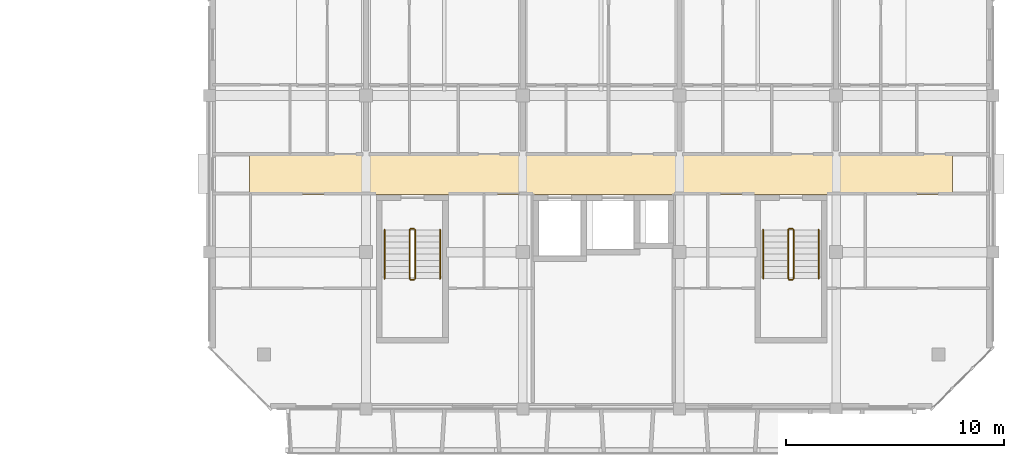
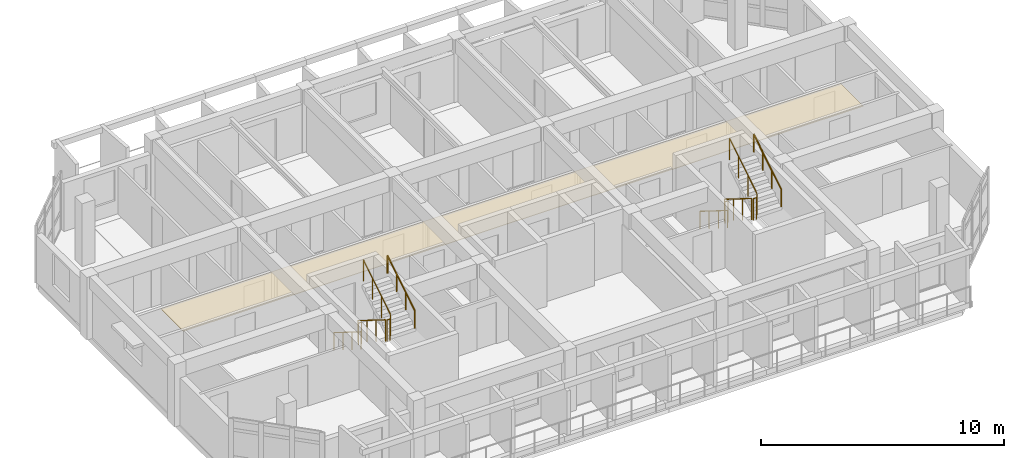
# One storey, part 50 of 51: 12 railings, 1 covering.
"""IFC4 building model written with IfcOpenShell, lengths in metres."""

import ifcopenshell
import ifcopenshell.guid

model = None  # the IFC model being written
_history = None  # IfcOwnerHistory: only IFC2X3 demands one
_inside = {}  # id of a spatial element -> (the spatial element, [elements in it])
_under = {}  # id of a project, library or spatial element -> (it, [spatial elements below it])
_declared = {}  # id of a project -> (the project, [libraries it declares])
_typed = {}  # id of a type object -> (the type object, [elements of that type])
_made_of = {}  # id of a material, layer set ... -> (it, [elements and type objects made of it])


def new_model(schema):
    """Start an empty IFC model of exactly this schema.

    Asked for "IFC4X3", IfcOpenShell would pick the latest addendum, in which some entities
    have other attributes; the version numbers below select the first issue.
    IFC2X3 requires an IfcOwnerHistory on every rooted entity: one is made here for all.
    """
    global model, _history
    if schema == "IFC4X3":
        model = ifcopenshell.file(schema_version=(4, 3, 0, 0))
    else:
        model = ifcopenshell.file(schema=schema)
    _inside.clear()
    _under.clear()
    _declared.clear()
    _typed.clear()
    _made_of.clear()
    _history = None
    if model.schema == "IFC2X3":
        org = make("IfcOrganization", Name="unknown")
        user = make(
            "IfcPersonAndOrganization",
            ThePerson=make("IfcPerson", FamilyName="unknown"),
            TheOrganization=org,
        )
        app = make(
            "IfcApplication",
            ApplicationDeveloper=org,
            Version="unknown",
            ApplicationFullName="unknown",
            ApplicationIdentifier="unknown",
        )
        _history = make(
            "IfcOwnerHistory",
            OwningUser=user,
            OwningApplication=app,
            ChangeAction="ADDED",
            CreationDate=0,
        )
    return model


def make(cls, **values):
    """One entity of the class cls with the attributes given. An attribute that is None is left unset."""
    return model.create_entity(
        cls, **{name: value for name, value in values.items() if value is not None}
    )


def rooted(cls, **values):
    """An entity with a GlobalId (a new one), such as an element, a storey or a relation."""
    return make(cls, GlobalId=ifcopenshell.guid.new(), OwnerHistory=_history, **values)


def si_unit(unit_type, name, prefix=None):
    """IfcSIUnit, for example si_unit("LENGTHUNIT", "METRE", prefix="MILLI")."""
    return make("IfcSIUnit", UnitType=unit_type, Prefix=prefix, Name=name)


def assignment(units):
    """IfcUnitAssignment: the units of a project."""
    return None if units is None else make("IfcUnitAssignment", Units=units)


def point(xyz):
    """IfcCartesianPoint."""
    return None if xyz is None else make("IfcCartesianPoint", Coordinates=xyz)


def direction(xyz):
    """IfcDirection."""
    return None if xyz is None else make("IfcDirection", DirectionRatios=xyz)


def frame(location, z_axis=None, x_axis=None):
    """IfcAxis2Placement3D, a coordinate frame: its origin and axes. An axis left out is left unset."""
    return make(
        "IfcAxis2Placement3D",
        Location=point(location),
        Axis=direction(z_axis),
        RefDirection=direction(x_axis),
    )


def frame_2d(location, x_axis=None):
    """IfcAxis2Placement2D, a coordinate frame in the plane: its origin and x axis."""
    return make(
        "IfcAxis2Placement2D", Location=point(location), RefDirection=direction(x_axis)
    )


def origin():
    """The frame at (0, 0, 0) with its axes left unset."""
    return frame((0.0, 0.0, 0.0))


def origin_2d():
    """The frame at (0, 0) in the plane with its x axis left unset."""
    return frame_2d((0.0, 0.0))


def place(relative_to, where):
    """IfcLocalPlacement: puts the frame where relative to a parent placement (None: the world)."""
    return make(
        "IfcLocalPlacement", PlacementRelTo=relative_to, RelativePlacement=where
    )


def context(
    kind, dimensions, precision=None, world=None, true_north=None, identifier=None
):
    """IfcGeometricRepresentationContext, for example the 3D "Model" context."""
    return make(
        "IfcGeometricRepresentationContext",
        ContextIdentifier=identifier,
        ContextType=kind,
        CoordinateSpaceDimension=dimensions,
        Precision=precision,
        WorldCoordinateSystem=world,
        TrueNorth=true_north,
    )


def subcontext(parent, identifier, kind, view, scale=None):
    """IfcGeometricRepresentationSubContext, for example "Body" below "Model"."""
    return make(
        "IfcGeometricRepresentationSubContext",
        ContextIdentifier=identifier,
        ContextType=kind,
        ParentContext=parent,
        TargetScale=scale,
        TargetView=view,
    )


def project(units=None, contexts=None):
    """IfcProject with its units and contexts."""
    return rooted(
        "IfcProject",
        Name="project",
        RepresentationContexts=contexts,
        UnitsInContext=assignment(units),
    )


def spatial(cls, under=None, at=None, **own):
    """A site, building, storey or space (cls), placed at a placement, below another one or the project."""
    s = rooted(cls, ObjectPlacement=at, **own)
    if under is not None:
        _under.setdefault(under.id(), (under, []))[1].append(s)
    return s


def polyline(points):
    """IfcPolyline through the points."""
    return make("IfcPolyline", Points=[point(p) for p in points])


def profile(cls, at=None, kind="AREA", **sizes):
    """A parametric profile (cls). Its sizes go by their IFC names, for example OverallWidth=200.0."""
    return make(cls, ProfileType=kind, Position=at, **sizes)


def circle(**sizes):
    """IfcCircleProfileDef."""
    return profile("IfcCircleProfileDef", **sizes)


def outline(outer, holes=None, kind="AREA"):
    """IfcArbitraryClosedProfileDef: a profile drawn as a closed curve; with holes, ...WithVoids."""
    if holes is None:
        return make("IfcArbitraryClosedProfileDef", ProfileType=kind, OuterCurve=outer)
    return make(
        "IfcArbitraryProfileDefWithVoids",
        ProfileType=kind,
        OuterCurve=outer,
        InnerCurves=holes,
    )


def extrude(swept, where, along, depth):
    """IfcExtrudedAreaSolid: the profile swept, set in the frame where, extruded along a direction by depth."""
    return make(
        "IfcExtrudedAreaSolid",
        SweptArea=swept,
        Position=where,
        ExtrudedDirection=direction(along),
        Depth=depth,
    )


def shape(context_of_items, identifier, shape_type, items):
    """IfcShapeRepresentation: the items that make up one representation, for example the "Body"."""
    return make(
        "IfcShapeRepresentation",
        ContextOfItems=context_of_items,
        RepresentationIdentifier=identifier,
        RepresentationType=shape_type,
        Items=items,
    )


def material(Name=None, Category=None):
    """IfcMaterial."""
    return make("IfcMaterial", Name=Name, Category=Category)


def layer(
    of_material, thickness, ventilated=None, Name=None, Category=None, Priority=None
):
    """IfcMaterialLayer: one layer of a wall or slab, of a material (None: an air gap)."""
    return make(
        "IfcMaterialLayer",
        Material=of_material,
        LayerThickness=thickness,
        IsVentilated=ventilated,
        Name=Name,
        Category=Category,
        Priority=Priority,
    )


def layer_set(layers, Name=None):
    """IfcMaterialLayerSet."""
    return make("IfcMaterialLayerSet", MaterialLayers=layers, LayerSetName=Name)


def made_of(thing, what):
    """Note that an element or type object is made of a material, layer set ...; save() writes the relation."""
    if what is not None:
        _made_of.setdefault(what.id(), (what, []))[1].append(thing)
    return thing


def type_object(cls, material=None, **own):
    """A type object (cls), such as IfcWallType, which elements share."""
    return made_of(rooted(cls, **own), material)


def element(
    cls,
    number,
    at=None,
    inside=None,
    cuts=None,
    type_object=None,
    material=None,
    context=None,
    identifier="Body",
    shape_type=None,
    held_by="IfcProductDefinitionShape",
    body=None,
    shapes=None,
    **own,
):
    """One element of the class cls, such as IfcWall. Its Tag is "e" and its number.

    at: its placement. inside: the storey or other place that contains it. cuts: it is an
    opening in that element (IfcRelVoidsElement). A single representation is given by context,
    identifier, shape_type and body (its items); several are given by shapes. held_by: the class
    of the entity that holds the representations. save() writes the other relations.
    """
    e = rooted(cls, Tag="e%d" % number, ObjectPlacement=at, **own)
    if body is not None:
        shapes = [shape(context, identifier, shape_type, body)]
    if shapes is not None:
        e.Representation = make(held_by, Representations=shapes)
    if inside is not None:
        _inside.setdefault(inside.id(), (inside, []))[1].append(e)
    if cuts is not None:
        rooted(
            "IfcRelVoidsElement", RelatingBuildingElement=cuts, RelatedOpeningElement=e
        )
    if type_object is not None:
        _typed.setdefault(type_object.id(), (type_object, []))[1].append(e)
    return made_of(e, material)


def aggregate(whole, parts):
    """IfcRelAggregates: a whole, such as a stair, and the parts it consists of."""
    return rooted("IfcRelAggregates", RelatingObject=whole, RelatedObjects=parts)


def save(model, path):
    """Write the relations noted so far, then the file.

    IfcRelAggregates (storeys below a building ...), IfcRelContainedInSpatialStructure (elements
    in a storey), IfcRelDefinesByType, IfcRelAssociatesMaterial and IfcRelDeclares: one each for
    every whole, place, type object, material and project.
    """
    for whole, parts in _under.values():
        aggregate(whole, parts)
    for where, things in _inside.values():
        rooted(
            "IfcRelContainedInSpatialStructure",
            RelatedElements=things,
            RelatingStructure=where,
        )
    for kind, things in _typed.values():
        rooted("IfcRelDefinesByType", RelatedObjects=things, RelatingType=kind)
    for what, things in _made_of.values():
        rooted("IfcRelAssociatesMaterial", RelatedObjects=things, RelatingMaterial=what)
    for by, libraries in _declared.values():
        rooted("IfcRelDeclares", RelatingContext=by, RelatedDefinitions=libraries)
    model.write(path)


model = new_model("IFC4")

# Units and contexts
model_context = context("Model", 3, precision=1e-05, world=origin(), true_north=direction((0.0, 1.0)))
body_context = subcontext(model_context, "Body", "Model", "MODEL_VIEW")
ifc_project = project(units=[si_unit("LENGTHUNIT", "METRE"), si_unit("AREAUNIT", "SQUARE_METRE"), si_unit("VOLUMEUNIT", "CUBIC_METRE"), si_unit("PLANEANGLEUNIT", "RADIAN"), si_unit("MASSUNIT", "GRAM", prefix="KILO")], contexts=[model_context])

# Site, building, storey
site_placement = place(None, origin())
site = spatial("IfcSite", under=ifc_project, at=site_placement, CompositionType="ELEMENT")
building_placement = place(site_placement, origin())
building = spatial("IfcBuilding", under=site, at=building_placement, Name="Ochrevale Crest", CompositionType="ELEMENT")
storey_placement = place(building_placement, frame((0.0, 0.0, 11.85009765625)))
storey = spatial("IfcBuildingStorey", under=building, at=storey_placement, Name="L03", CompositionType="ELEMENT", Elevation=11.85009765625)

# Covering
ifc_material_1 = material(Name="Gypsum plasterboard", Category="gypsum")
ifc_layer = layer(ifc_material_1, 0.02490234375)
ifc_layer_set = layer_set([ifc_layer], Name="Gypsum plasterboard")
covering_type = type_object("IfcCoveringType", Name="COV-CEIL-GYP", PredefinedType="CEILING", material=ifc_layer_set)
covering_placement = place(storey_placement, frame((0.0, 0.0, 2.27978515625)))
element("IfcCovering", 1, at=covering_placement, inside=storey, type_object=covering_type, Name="Block D L03 acoustic corridor ceiling", PredefinedType="CEILING", context=body_context, shape_type="SweptSolid", body=[
    extrude(outline(polyline([(131.449951171875, 81.860107421875), (163.75, 81.860107421875), (163.75, 83.739990234375), (131.449951171875, 83.739990234375), (131.449951171875, 81.860107421875)])), origin(), (0.0, 0.0, 1.0), 0.025146484375),
])

# Railings
ifc_material_2 = material(Name="Galvanised steel", Category="steel")
railing_type_1 = type_object("IfcRailingType", Name="RL-ST-GUARD", PredefinedType="BALUSTRADE", material=ifc_material_2)
railing_1_placement = place(storey_placement, frame((138.800048828125, 80.22509765625, 0.1748046875)))
element("IfcRailing", 2, at=railing_1_placement, inside=storey, type_object=railing_type_1, Name="L03 ST-D1 stair guard 1", PredefinedType="BALUSTRADE", context=body_context, shape_type="SweptSolid", body=[
    extrude(circle(Radius=0.02392578125, at=origin_2d()), frame((0.0, 0.0, 1.076171875), z_axis=(0.0, -0.847972341737, 0.530040477369), x_axis=(1.0, 0.0, 0.0)), (0.0, 0.0, 1.0), 2.6416015625),
    extrude(circle(Radius=0.02099609375, at=origin_2d()), origin(), (0.0, 0.0, 1.0), 1.052001953125),
    extrude(circle(Radius=0.02099609375, at=origin_2d()), frame((0.0, -0.74658203125, 0.466796875)), (0.0, 0.0, 1.0), 1.052001953125),
    extrude(circle(Radius=0.02099609375, at=origin_2d()), frame((0.0, -1.493408203125, 0.933349609375)), (0.0, 0.0, 1.0), 1.052001953125),
    extrude(circle(Radius=0.02099609375, at=origin_2d()), frame((0.0, -2.239990234375, 1.400146484375)), (0.0, 0.0, 1.0), 1.052001953125),
])
railing_2_placement = place(storey_placement, frame((138.85009765625, 77.93505859375, 1.574951171875)))
element("IfcRailing", 3, at=railing_2_placement, inside=storey, type_object=railing_type_1, Name="L03 ST-D1 stair guard 2", PredefinedType="BALUSTRADE", context=body_context, shape_type="SweptSolid", body=[
    extrude(circle(Radius=0.02392578125, at=origin_2d()), frame((0.0, 0.0, 1.076171875), z_axis=(1.0, 0.0, 0.0), x_axis=(0.0, 1.0, 0.0)), (0.0, 0.0, 1.0), 0.14990234375),
    extrude(circle(Radius=0.02099609375, at=origin_2d()), origin(), (0.0, 0.0, 1.0), 1.052001953125),
    extrude(circle(Radius=0.02099609375, at=origin_2d()), frame((0.14990234375, 0.0, 0.0)), (0.0, 0.0, 1.0), 1.052001953125),
])
railing_3_placement = place(storey_placement, frame((139.050048828125, 77.985107421875, 1.75)))
element("IfcRailing", 4, at=railing_3_placement, inside=storey, type_object=railing_type_1, Name="L03 ST-D1 stair guard 3", PredefinedType="BALUSTRADE", context=body_context, shape_type="SweptSolid", body=[
    extrude(circle(Radius=0.02392578125, at=origin_2d()), frame((0.0, 0.0, 1.076171875), z_axis=(0.0, 0.848013881152, 0.529974015752), x_axis=(-1.0, 0.0, 0.0)), (0.0, 0.0, 1.0), 2.641357421875),
    extrude(circle(Radius=0.02099609375, at=origin_2d()), origin(), (0.0, 0.0, 1.0), 1.052001953125),
    extrude(circle(Radius=0.02099609375, at=origin_2d()), frame((0.0, 0.74658203125, 0.466552734375)), (0.0, 0.0, 1.0), 1.052001953125),
    extrude(circle(Radius=0.02099609375, at=origin_2d()), frame((0.0, 1.493408203125, 0.933349609375)), (0.0, 0.0, 1.0), 1.052001953125),
    extrude(circle(Radius=0.02099609375, at=origin_2d()), frame((0.0, 2.239990234375, 1.39990234375)), (0.0, 0.0, 1.0), 1.052001953125),
])
railing_4_placement = place(storey_placement, frame((138.85009765625, 80.27490234375, 0.0)))
element("IfcRailing", 5, at=railing_4_placement, inside=storey, type_object=railing_type_1, Name="L03 ST-D1 stair guard 4", PredefinedType="BALUSTRADE", context=body_context, shape_type="SweptSolid", body=[
    extrude(circle(Radius=0.02392578125, at=origin_2d()), frame((0.0, 0.0, 1.076171875), z_axis=(1.0, 0.0, 0.0), x_axis=(0.0, 1.0, 0.0)), (0.0, 0.0, 1.0), 0.14990234375),
    extrude(circle(Radius=0.02099609375, at=origin_2d()), origin(), (0.0, 0.0, 1.0), 1.052001953125),
    extrude(circle(Radius=0.02099609375, at=origin_2d()), frame((0.14990234375, 0.0, 0.0)), (0.0, 0.0, 1.0), 1.052001953125),
])
railing_5_placement = place(storey_placement, frame((156.199951171875, 80.22509765625, 0.1748046875)))
element("IfcRailing", 6, at=railing_5_placement, inside=storey, type_object=railing_type_1, Name="L03 ST-D2 stair guard 1", PredefinedType="BALUSTRADE", context=body_context, shape_type="SweptSolid", body=[
    extrude(circle(Radius=0.02392578125, at=origin_2d()), frame((0.0, 0.0, 1.076171875), z_axis=(0.0, -0.847972341737, 0.530040477369), x_axis=(1.0, 0.0, 0.0)), (0.0, 0.0, 1.0), 2.6416015625),
    extrude(circle(Radius=0.02099609375, at=origin_2d()), origin(), (0.0, 0.0, 1.0), 1.052001953125),
    extrude(circle(Radius=0.02099609375, at=origin_2d()), frame((0.0, -0.74658203125, 0.466796875)), (0.0, 0.0, 1.0), 1.052001953125),
    extrude(circle(Radius=0.02099609375, at=origin_2d()), frame((0.0, -1.493408203125, 0.933349609375)), (0.0, 0.0, 1.0), 1.052001953125),
    extrude(circle(Radius=0.02099609375, at=origin_2d()), frame((0.0, -2.239990234375, 1.400146484375)), (0.0, 0.0, 1.0), 1.052001953125),
])
railing_6_placement = place(storey_placement, frame((156.25, 77.93505859375, 1.574951171875)))
element("IfcRailing", 7, at=railing_6_placement, inside=storey, type_object=railing_type_1, Name="L03 ST-D2 stair guard 2", PredefinedType="BALUSTRADE", context=body_context, shape_type="SweptSolid", body=[
    extrude(circle(Radius=0.02392578125, at=origin_2d()), frame((0.0, 0.0, 1.076171875), z_axis=(1.0, 0.0, 0.0), x_axis=(0.0, 1.0, 0.0)), (0.0, 0.0, 1.0), 0.14990234375),
    extrude(circle(Radius=0.02099609375, at=origin_2d()), origin(), (0.0, 0.0, 1.0), 1.052001953125),
    extrude(circle(Radius=0.02099609375, at=origin_2d()), frame((0.14990234375, 0.0, 0.0)), (0.0, 0.0, 1.0), 1.052001953125),
])
railing_7_placement = place(storey_placement, frame((156.449951171875, 77.985107421875, 1.75)))
element("IfcRailing", 8, at=railing_7_placement, inside=storey, type_object=railing_type_1, Name="L03 ST-D2 stair guard 3", PredefinedType="BALUSTRADE", context=body_context, shape_type="SweptSolid", body=[
    extrude(circle(Radius=0.02392578125, at=origin_2d()), frame((0.0, 0.0, 1.076171875), z_axis=(0.0, 0.848013881152, 0.529974015752), x_axis=(-1.0, 0.0, 0.0)), (0.0, 0.0, 1.0), 2.641357421875),
    extrude(circle(Radius=0.02099609375, at=origin_2d()), origin(), (0.0, 0.0, 1.0), 1.052001953125),
    extrude(circle(Radius=0.02099609375, at=origin_2d()), frame((0.0, 0.74658203125, 0.466552734375)), (0.0, 0.0, 1.0), 1.052001953125),
    extrude(circle(Radius=0.02099609375, at=origin_2d()), frame((0.0, 1.493408203125, 0.933349609375)), (0.0, 0.0, 1.0), 1.052001953125),
    extrude(circle(Radius=0.02099609375, at=origin_2d()), frame((0.0, 2.239990234375, 1.39990234375)), (0.0, 0.0, 1.0), 1.052001953125),
])
railing_8_placement = place(storey_placement, frame((156.25, 80.27490234375, 0.0)))
element("IfcRailing", 9, at=railing_8_placement, inside=storey, type_object=railing_type_1, Name="L03 ST-D2 stair guard 4", PredefinedType="BALUSTRADE", context=body_context, shape_type="SweptSolid", body=[
    extrude(circle(Radius=0.02392578125, at=origin_2d()), frame((0.0, 0.0, 1.076171875), z_axis=(1.0, 0.0, 0.0), x_axis=(0.0, 1.0, 0.0)), (0.0, 0.0, 1.0), 0.14990234375),
    extrude(circle(Radius=0.02099609375, at=origin_2d()), origin(), (0.0, 0.0, 1.0), 1.052001953125),
    extrude(circle(Radius=0.02099609375, at=origin_2d()), frame((0.14990234375, 0.0, 0.0)), (0.0, 0.0, 1.0), 1.052001953125),
])
ifc_material_3 = material(Name="Stainless steel", Category="steel")
railing_type_2 = type_object("IfcRailingType", Name="RL-ST-HRAIL", PredefinedType="HANDRAIL", material=ifc_material_3)
railing_9_placement = place(storey_placement, frame((137.64990234375, 80.22509765625, 0.1748046875)))
element("IfcRailing", 10, at=railing_9_placement, inside=storey, type_object=railing_type_2, Name="L03 ST-D1 stair handrail 1", PredefinedType="HANDRAIL", context=body_context, shape_type="SweptSolid", body=[
    extrude(circle(Radius=0.02392578125, at=origin_2d()), frame((0.0, 0.0, 0.8759765625), z_axis=(0.0, -0.847972341737, 0.530040477369), x_axis=(1.0, 0.0, 0.0)), (0.0, 0.0, 1.0), 2.6416015625),
    extrude(circle(Radius=0.02099609375, at=origin_2d()), origin(), (0.0, 0.0, 1.0), 0.851806640625),
    extrude(circle(Radius=0.02099609375, at=origin_2d()), frame((0.0, -0.74658203125, 0.466796875)), (0.0, 0.0, 1.0), 0.851806640625),
    extrude(circle(Radius=0.02099609375, at=origin_2d()), frame((0.0, -1.493408203125, 0.933349609375)), (0.0, 0.0, 1.0), 0.851806640625),
    extrude(circle(Radius=0.02099609375, at=origin_2d()), frame((0.0, -2.239990234375, 1.400146484375)), (0.0, 0.0, 1.0), 0.851806640625),
])
railing_10_placement = place(storey_placement, frame((140.199951171875, 77.985107421875, 1.75)))
element("IfcRailing", 11, at=railing_10_placement, inside=storey, type_object=railing_type_2, Name="L03 ST-D1 stair handrail 2", PredefinedType="HANDRAIL", context=body_context, shape_type="SweptSolid", body=[
    extrude(circle(Radius=0.02392578125, at=origin_2d()), frame((0.0, 0.0, 0.8759765625), z_axis=(0.0, 0.848013881152, 0.529974015752), x_axis=(-1.0, 0.0, 0.0)), (0.0, 0.0, 1.0), 2.641357421875),
    extrude(circle(Radius=0.02099609375, at=origin_2d()), origin(), (0.0, 0.0, 1.0), 0.851806640625),
    extrude(circle(Radius=0.02099609375, at=origin_2d()), frame((0.0, 0.74658203125, 0.466552734375)), (0.0, 0.0, 1.0), 0.851806640625),
    extrude(circle(Radius=0.02099609375, at=origin_2d()), frame((0.0, 1.493408203125, 0.933349609375)), (0.0, 0.0, 1.0), 0.851806640625),
    extrude(circle(Radius=0.02099609375, at=origin_2d()), frame((0.0, 2.239990234375, 1.39990234375)), (0.0, 0.0, 1.0), 0.851806640625),
])
railing_11_placement = place(storey_placement, frame((155.050048828125, 80.22509765625, 0.1748046875)))
element("IfcRailing", 12, at=railing_11_placement, inside=storey, type_object=railing_type_2, Name="L03 ST-D2 stair handrail 1", PredefinedType="HANDRAIL", context=body_context, shape_type="SweptSolid", body=[
    extrude(circle(Radius=0.02392578125, at=origin_2d()), frame((0.0, 0.0, 0.8759765625), z_axis=(0.0, -0.847972341737, 0.530040477369), x_axis=(1.0, 0.0, 0.0)), (0.0, 0.0, 1.0), 2.6416015625),
    extrude(circle(Radius=0.02099609375, at=origin_2d()), origin(), (0.0, 0.0, 1.0), 0.851806640625),
    extrude(circle(Radius=0.02099609375, at=origin_2d()), frame((0.0, -0.74658203125, 0.466796875)), (0.0, 0.0, 1.0), 0.851806640625),
    extrude(circle(Radius=0.02099609375, at=origin_2d()), frame((0.0, -1.493408203125, 0.933349609375)), (0.0, 0.0, 1.0), 0.851806640625),
    extrude(circle(Radius=0.02099609375, at=origin_2d()), frame((0.0, -2.239990234375, 1.400146484375)), (0.0, 0.0, 1.0), 0.851806640625),
])
railing_12_placement = place(storey_placement, frame((157.60009765625, 77.985107421875, 1.75)))
element("IfcRailing", 13, at=railing_12_placement, inside=storey, type_object=railing_type_2, Name="L03 ST-D2 stair handrail 2", PredefinedType="HANDRAIL", context=body_context, shape_type="SweptSolid", body=[
    extrude(circle(Radius=0.02392578125, at=origin_2d()), frame((0.0, 0.0, 0.8759765625), z_axis=(0.0, 0.848013881152, 0.529974015752), x_axis=(-1.0, 0.0, 0.0)), (0.0, 0.0, 1.0), 2.641357421875),
    extrude(circle(Radius=0.02099609375, at=origin_2d()), origin(), (0.0, 0.0, 1.0), 0.851806640625),
    extrude(circle(Radius=0.02099609375, at=origin_2d()), frame((0.0, 0.74658203125, 0.466552734375)), (0.0, 0.0, 1.0), 0.851806640625),
    extrude(circle(Radius=0.02099609375, at=origin_2d()), frame((0.0, 1.493408203125, 0.933349609375)), (0.0, 0.0, 1.0), 0.851806640625),
    extrude(circle(Radius=0.02099609375, at=origin_2d()), frame((0.0, 2.239990234375, 1.39990234375)), (0.0, 0.0, 1.0), 0.851806640625),
])

save(model, "model.ifc")
